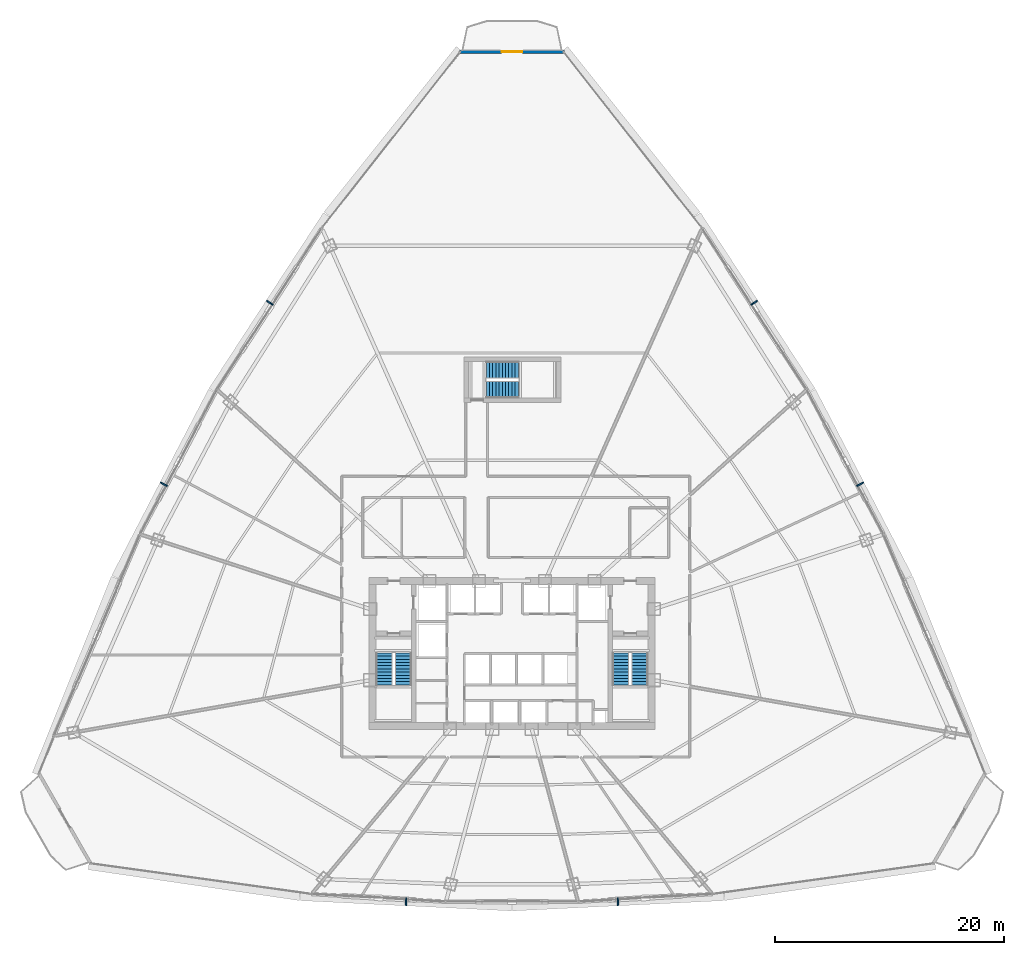
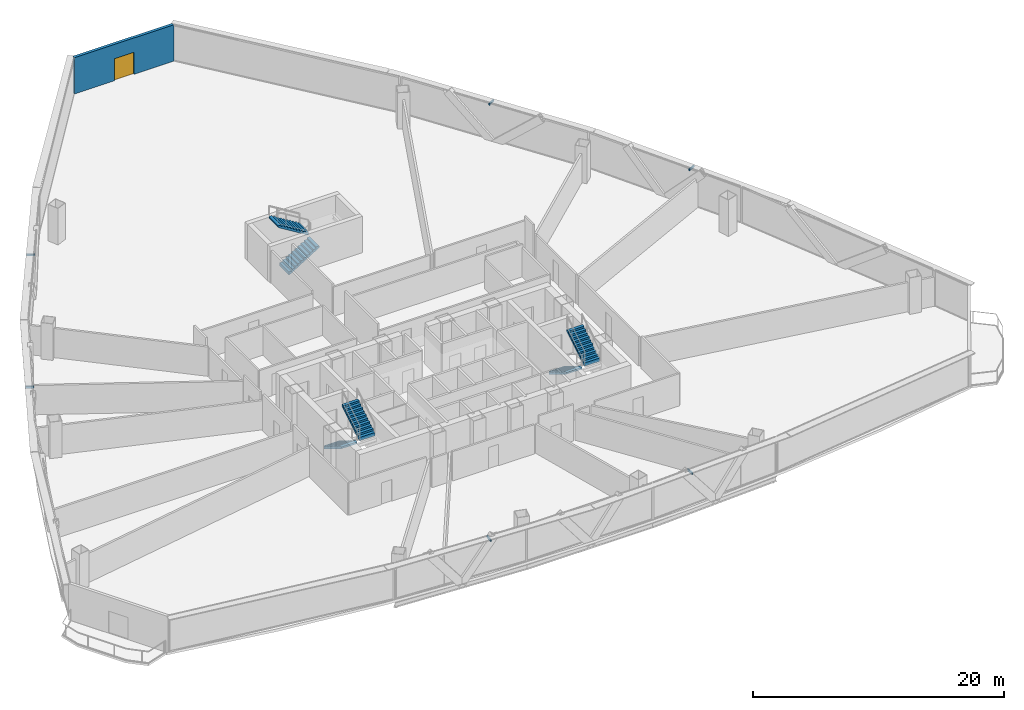
# One storey, part 32 of 36: 6 discrete accessories, 6 stair flights, 1 door, 1 wall, 1 opening, 3 elements without a shape of their own.
"""IFC4 building model written with IfcOpenShell, lengths in metres."""

from ifc_helpers import new_model, si_unit, direction, frame, frame_2d, origin, origin_with_axes, origin_2d, place, context, subcontext, project, spatial, polyline, rectangle, outline, extrude, source, transform, mapped, material, layer, layer_set, type_object, element, fill, aggregate, save


model = new_model("IFC4")

# Units and contexts
model_context = context("Model", 3, precision=1e-05, world=origin(), true_north=direction((0.0, 1.0)))
body_context = subcontext(model_context, "Body", "Model", "MODEL_VIEW")
ifc_project = project(units=[si_unit("LENGTHUNIT", "METRE"), si_unit("AREAUNIT", "SQUARE_METRE"), si_unit("VOLUMEUNIT", "CUBIC_METRE"), si_unit("PLANEANGLEUNIT", "RADIAN"), si_unit("MASSUNIT", "GRAM", prefix="KILO"), si_unit("THERMODYNAMICTEMPERATUREUNIT", "KELVIN"), si_unit("POWERUNIT", "WATT")], contexts=[model_context])

# Site, building, storey
site_placement = place(None, origin())
site = spatial("IfcSite", under=ifc_project, at=site_placement, CompositionType="ELEMENT")
building_placement = place(site_placement, origin())
building = spatial("IfcBuilding", under=site, at=building_placement, Name="Yunzhuo Pagoda Commons", CompositionType="ELEMENT")
storey_placement = place(building_placement, frame((0.0, 0.0, 103.97998046875)))
storey = spatial("IfcBuildingStorey", under=building, at=storey_placement, Name="L26", CompositionType="ELEMENT", Elevation=103.97998046875)

# Wall, opening, door
ifc_material_1 = material(Name="Precast concrete C40", Category="concrete")
ifc_layer = layer(ifc_material_1, 0.260009765625)
ifc_layer_set = layer_set([ifc_layer], Name="Precast concrete C40")
wall_type = type_object("IfcWallType", Name="W-BAL1 Corner Balcony Threshold Wall 260", PredefinedType="STANDARD", material=ifc_layer_set)
wall_placement = place(storey_placement, frame((52.572021484375, 86.489013671875, 0.0), z_axis=(0.0, 0.0, 1.0), x_axis=(-1.0, 0.0, 0.0)))
wall = element("IfcWall", 1, at=wall_placement, inside=storey, type_object=wall_type, Name="L26 corner balcony wall V3", PredefinedType="STANDARD", context=body_context, shape_type="SweptSolid", body=[
    extrude(rectangle(XDim=9.14404296875, YDim=0.260009765625, at=frame_2d((4.572021484375, 0.0))), origin(), (0.0, 0.0, 1.0), 3.5400390625),
])
opening_placement = place(wall_placement, frame((3.672119140625, 0.0, 0.0)))
opening = element("IfcOpeningElement", 2, at=opening_placement, cuts=wall, Name="Opening D-BAL1", PredefinedType="OPENING", context=body_context, shape_type="SweptSolid", body=[
    extrude(rectangle(XDim=1.800048828125, YDim=2.14990234375, at=frame_2d((0.89990234375, 1.074951171875))), frame((0.0, 0.14013671875, 0.0), z_axis=(0.0, -1.0, 0.0), x_axis=(1.0, 0.0, 0.0)), (0.0, 0.0, 1.0), 0.280029296875),
])
ifc_material_2 = material(Name="Anodized aluminium frame and tempered glazed leaf", Category="aluminium")
door_type = type_object("IfcDoorType", Name="D-BAL1 Corner Balcony Sliding Glazed Door 1800x2150", OperationType="DOUBLE_DOOR_SLIDING", PredefinedType="DOOR", material=ifc_material_2)
shared_shape_1 = source(origin(), body_context, "Body", "SweptSolid", [
    extrude(rectangle(XDim=1.800048828125, YDim=2.14990234375, at=frame_2d((0.89990234375, 1.074951171875))), frame((0.0, 0.02490234375, 0.0), z_axis=(0.0, -1.0, 0.0), x_axis=(1.0, 0.0, 0.0)), (0.0, 0.0, 1.0), 0.050048828125),
])
door_placement = place(opening_placement, origin_with_axes())
door = element("IfcDoor", 3, at=door_placement, inside=storey, type_object=door_type, Name="L26 corner balcony sliding door V3", OperationType="DOUBLE_DOOR_SLIDING", OverallHeight=2.14990234375, OverallWidth=1.800048828125, PredefinedType="DOOR", context=body_context, shape_type="MappedRepresentation", body=[
    mapped(shared_shape_1, transform((0.0, 0.0, 0.0), scale=1.0)),
])
fill(opening, door)

# Stair, stair flights
ifc_material_3 = material(Name="Concrete C40", Category="concrete")
stair_type_1 = type_object("IfcStairType", Name="ST-C1 Core Smokeproof Stair ST1", PredefinedType="HALF_TURN_STAIR", material=ifc_material_3)
stair_1_placement = place(storey_placement, origin())
stair_1 = element("IfcStair", 4, at=stair_1_placement, inside=storey, type_object=stair_type_1, Name="L26 Core smokeproof stair ST1", PredefinedType="HALF_TURN_STAIR")
stair_flight_type_1 = type_object("IfcStairFlightType", Name="STF-C1 Core Stair Flight 1450", PredefinedType="STRAIGHT", material=ifc_material_3)
shared_shape_2 = source(origin(), body_context, "Body", "SweptSolid", [
    extrude(outline(polyline([(0.0, -0.14990234375), (0.0, 0.0), (0.0, 0.172607421875), (0.280029296875, 0.172607421875), (0.280029296875, 0.345458984375), (0.56005859375, 0.345458984375), (0.56005859375, 0.51806640625), (0.840087890625, 0.51806640625), (0.840087890625, 0.69091796875), (1.1201171875, 0.69091796875), (1.1201171875, 0.863525390625), (1.39990234375, 0.863525390625), (1.39990234375, 1.036376953125), (1.679931640625, 1.036376953125), (1.679931640625, 1.208984375), (1.9599609375, 1.208984375), (1.9599609375, 1.3818359375), (2.239990234375, 1.3818359375), (2.239990234375, 1.554443359375), (2.52001953125, 1.554443359375), (2.52001953125, 1.727294921875), (2.800048828125, 1.727294921875), (2.800048828125, 1.89990234375), (2.800048828125, 1.551025390625), (0.285400390625, 0.0), (0.050048828125, -0.14990234375), (0.0, -0.14990234375)])), frame((0.0, 0.72509765625, 0.0), z_axis=(0.0, -1.0, 0.0), x_axis=(1.0, 0.0, 0.0)), (0.0, 0.0, 1.0), 1.449951171875),
])
stair_flight_1_placement = place(storey_placement, frame((36.824951171875, 33.89990234375, 0.0), z_axis=(0.0, 0.0, 1.0), x_axis=(0.0, -1.0, 0.0)))
stair_flight_1 = element("IfcStairFlight", 5, at=stair_flight_1_placement, type_object=stair_flight_type_1, Name="ST1 flight 1", NumberOfRisers=11, NumberOfTreads=10, PredefinedType="STRAIGHT", RiserHeight=0.172727273, TreadLength=0.28, context=body_context, shape_type="MappedRepresentation", body=[
    mapped(shared_shape_2, transform((0.0, 0.0, 0.0), scale=1.0)),
])
stair_flight_2_placement = place(storey_placement, frame((38.47509765625, 31.10009765625, 1.89990234375), z_axis=(0.0, 0.0, 1.0), x_axis=(0.0, 1.0, 0.0)))
stair_flight_2 = element("IfcStairFlight", 6, at=stair_flight_2_placement, type_object=stair_flight_type_1, Name="ST1 flight 2", NumberOfRisers=11, NumberOfTreads=10, PredefinedType="STRAIGHT", RiserHeight=0.172727273, TreadLength=0.28, context=body_context, shape_type="MappedRepresentation", body=[
    mapped(shared_shape_2, transform((0.0, 0.0, 0.0), scale=1.0)),
])
aggregate(stair_1, [stair_flight_1, stair_flight_2])

stair_type_2 = type_object("IfcStairType", Name="ST-C2 Core Smokeproof Stair ST2", PredefinedType="HALF_TURN_STAIR", material=ifc_material_3)
stair_2_placement = place(storey_placement, origin())
stair_2 = element("IfcStair", 7, at=stair_2_placement, inside=storey, type_object=stair_type_2, Name="L26 Core smokeproof stair ST2", PredefinedType="HALF_TURN_STAIR")
stair_flight_type_2 = type_object("IfcStairFlightType", Name="STF-C2 Core Stair Flight 1460", PredefinedType="STRAIGHT", material=ifc_material_3)
stair_flight_3_placement = place(storey_placement, frame((57.52490234375, 33.89990234375, 0.0), z_axis=(0.0, 0.0, 1.0), x_axis=(0.0, -1.0, 0.0)))
stair_flight_3 = element("IfcStairFlight", 8, at=stair_flight_3_placement, type_object=stair_flight_type_2, Name="ST2 flight 1", NumberOfRisers=11, NumberOfTreads=10, PredefinedType="STRAIGHT", RiserHeight=0.172727273, TreadLength=0.28, context=body_context, shape_type="MappedRepresentation", body=[
    mapped(shared_shape_2, transform((0.0, 0.0, 0.0), scale=1.0)),
])
stair_flight_4_placement = place(storey_placement, frame((59.175048828125, 31.10009765625, 1.89990234375), z_axis=(0.0, 0.0, 1.0), x_axis=(0.0, 1.0, 0.0)))
stair_flight_4 = element("IfcStairFlight", 9, at=stair_flight_4_placement, type_object=stair_flight_type_2, Name="ST2 flight 2", NumberOfRisers=11, NumberOfTreads=10, PredefinedType="STRAIGHT", RiserHeight=0.172727273, TreadLength=0.28, context=body_context, shape_type="MappedRepresentation", body=[
    mapped(shared_shape_2, transform((0.0, 0.0, 0.0), scale=1.0)),
])
aggregate(stair_2, [stair_flight_3, stair_flight_4])

stair_type_3 = type_object("IfcStairType", Name="ST-C3 North Tower Smokeproof Stair ST3", PredefinedType="HALF_TURN_STAIR", material=ifc_material_3)
stair_3_placement = place(storey_placement, origin())
stair_3 = element("IfcStair", 10, at=stair_3_placement, inside=storey, type_object=stair_type_3, Name="L26 North tower smokeproof stair ST3", PredefinedType="HALF_TURN_STAIR")
stair_flight_type_3 = type_object("IfcStairFlightType", Name="STF-C3 North Stair Flight 1500", PredefinedType="STRAIGHT", material=ifc_material_3)
shared_shape_3 = source(origin(), body_context, "Body", "SweptSolid", [
    extrude(outline(polyline([(0.0, -0.14990234375), (0.0, 0.0), (0.0, 0.172607421875), (0.280029296875, 0.172607421875), (0.280029296875, 0.345458984375), (0.56005859375, 0.345458984375), (0.56005859375, 0.51806640625), (0.840087890625, 0.51806640625), (0.840087890625, 0.69091796875), (1.1201171875, 0.69091796875), (1.1201171875, 0.863525390625), (1.39990234375, 0.863525390625), (1.39990234375, 1.036376953125), (1.679931640625, 1.036376953125), (1.679931640625, 1.208984375), (1.9599609375, 1.208984375), (1.9599609375, 1.3818359375), (2.239990234375, 1.3818359375), (2.239990234375, 1.554443359375), (2.52001953125, 1.554443359375), (2.52001953125, 1.727294921875), (2.800048828125, 1.727294921875), (2.800048828125, 1.89990234375), (2.800048828125, 1.551025390625), (0.285400390625, 0.0), (0.050048828125, -0.14990234375), (0.0, -0.14990234375)])), frame((0.0, 0.75, 0.0), z_axis=(0.0, -1.0, 0.0), x_axis=(1.0, 0.0, 0.0)), (0.0, 0.0, 1.0), 1.5),
])
stair_flight_5_placement = place(storey_placement, frame((45.75, 56.949951171875, 0.0), z_axis=(0.0, 0.0, 1.0), x_axis=(1.0, 0.0, 0.0)))
stair_flight_5 = element("IfcStairFlight", 11, at=stair_flight_5_placement, type_object=stair_flight_type_3, Name="ST3 flight 1", NumberOfRisers=11, NumberOfTreads=10, PredefinedType="STRAIGHT", RiserHeight=0.172727273, TreadLength=0.28, context=body_context, shape_type="MappedRepresentation", body=[
    mapped(shared_shape_3, transform((0.0, 0.0, 0.0), scale=1.0)),
])
stair_flight_6_placement = place(storey_placement, frame((48.550048828125, 58.64990234375, 1.89990234375), z_axis=(0.0, 0.0, 1.0), x_axis=(-1.0, 0.0, 0.0)))
stair_flight_6 = element("IfcStairFlight", 12, at=stair_flight_6_placement, type_object=stair_flight_type_3, Name="ST3 flight 2", NumberOfRisers=11, NumberOfTreads=10, PredefinedType="STRAIGHT", RiserHeight=0.172727273, TreadLength=0.28, context=body_context, shape_type="MappedRepresentation", body=[
    mapped(shared_shape_3, transform((0.0, 0.0, 0.0), scale=1.0)),
])
aggregate(stair_3, [stair_flight_5, stair_flight_6])

# Discrete accessories
ifc_material_4 = material(Name="Anodized aluminium 6063-T6", Category="aluminium")
discrete_accessory_type = type_object("IfcDiscreteAccessoryType", Name="BK-SUN1 Sunshade Outrigger Bracket", PredefinedType="BRACKET", material=ifc_material_4)
shared_shape_4 = source(origin(), body_context, "Body", "SweptSolid", [
    extrude(rectangle(XDim=0.1201171875, YDim=0.679931640625, at=origin_2d()), origin(), (0.0, 0.0, 1.0), 0.179931640625),
])
for number, where, z_axis, x_axis, name in (
    (13, (38.734619140625, 12.140625, 3.330078125), (0.0, 0.0, 1.0), (0.998818043775, -0.04860571396, 0.0), "L26 sunshade outrigger bracket F1.2"),
    (14, (57.265380859375, 12.140625, 3.330078125), (0.0, 0.0, 1.0), (0.998818043775, 0.04860571396, 0.0), "L26 sunshade outrigger bracket F1.3"),
    (15, (78.4619140625, 48.660400390625, 3.330078125), (0.0, 0.0, 1.0), (-0.461206683033, 0.88729273384, 0.0), "L26 sunshade outrigger bracket F2.2"),
    (16, (69.196044921875, 64.53369140625, 3.330078125), (0.0, 0.0, 1.0), (-0.545838756973, 0.837890238269, 0.0), "L26 sunshade outrigger bracket F2.3"),
    (17, (26.803955078125, 64.53369140625, 3.330078125), (0.0, 0.0, 1.0), (-0.545838756973, -0.837890238269, 0.0), "L26 sunshade outrigger bracket F3.2"),
    (18, (17.5380859375, 48.660400390625, 3.330078125), (0.0, 0.0, 1.0), (-0.461206683033, -0.88729273384, 0.0), "L26 sunshade outrigger bracket F3.3"),
):
    element("IfcDiscreteAccessory", number, at=place(storey_placement, frame(where, z_axis=z_axis, x_axis=x_axis)), inside=storey, type_object=discrete_accessory_type, Name=name, PredefinedType="BRACKET", context=body_context, shape_type="MappedRepresentation", body=[
        mapped(shared_shape_4, transform((0.0, 0.0, 0.0), scale=1.0)),
    ])

save(model, "model.ifc")
